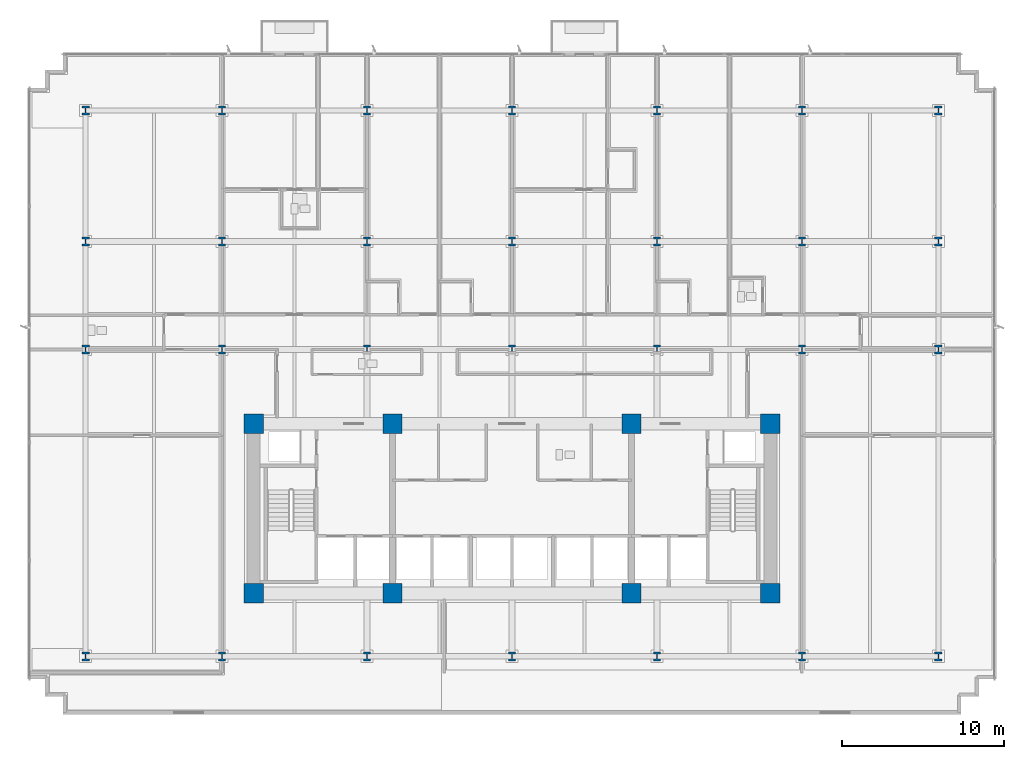
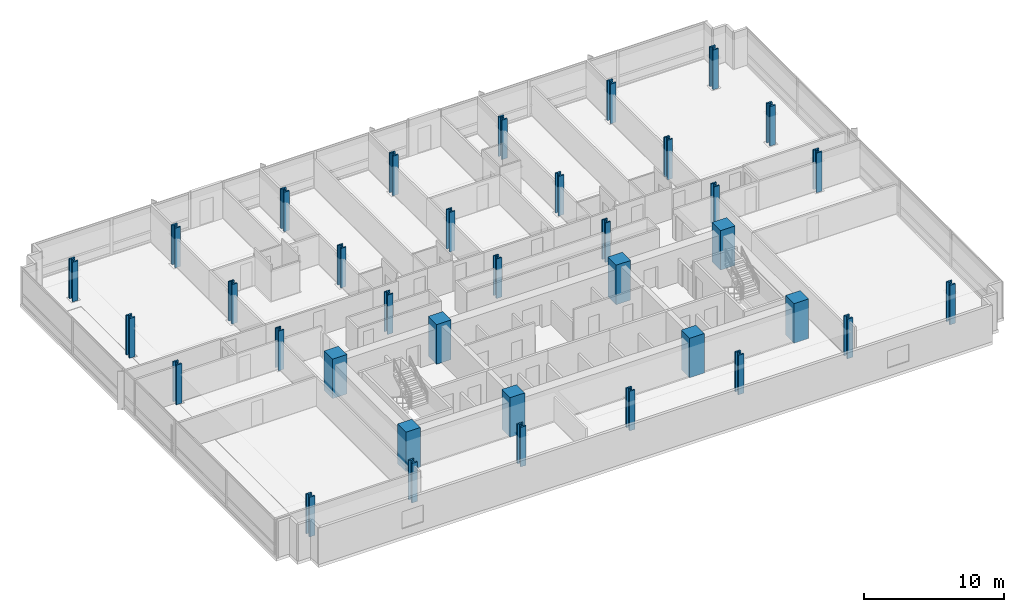
# One storey, part 1 of 15: 36 columns.
"""IFC4 building model written with IfcOpenShell, lengths in metres."""

from ifc_helpers import new_model, si_unit, direction, frame, origin, origin_2d, place, context, subcontext, project, spatial, rectangle, i_section, extrude, material, material_profile, profile_set, type_object, element, save


model = new_model("IFC4")

# Units and contexts
model_context = context("Model", 3, precision=1e-05, world=origin(), true_north=direction((0.0, 1.0)))
body_context = subcontext(model_context, "Body", "Model", "MODEL_VIEW")
ifc_project = project(units=[si_unit("LENGTHUNIT", "METRE"), si_unit("AREAUNIT", "SQUARE_METRE"), si_unit("VOLUMEUNIT", "CUBIC_METRE"), si_unit("PLANEANGLEUNIT", "RADIAN"), si_unit("MASSUNIT", "GRAM", prefix="KILO")], contexts=[model_context])

# Site, building, storey
site_placement = place(None, origin())
site = spatial("IfcSite", under=ifc_project, at=site_placement, CompositionType="ELEMENT")
building_placement = place(site_placement, origin())
building = spatial("IfcBuilding", under=site, at=building_placement, Name="Solmavex Isthmus Hotel", CompositionType="ELEMENT")
storey_placement = place(building_placement, frame((0.0, 0.0, 64.35009765625)))
storey = spatial("IfcBuildingStorey", under=building, at=storey_placement, Name="L17", CompositionType="ELEMENT", Elevation=64.35009765625)

# Columns
ifc_material_1 = material(Name="Concrete C70/85", Category="concrete")
ifc_material_profile_1 = material_profile(ifc_material_1, rectangle(XDim=1.199951171875, YDim=1.199951171875, at=origin_2d()), Name="RC1200X1200")
ifc_profile_set_1 = profile_set([ifc_material_profile_1], Name="Concrete C70/85")
column_type_1 = type_object("IfcColumnType", Name="COL-CC-1200", PredefinedType="COLUMN", material=ifc_profile_set_1)
for number, where, z_axis, x_axis, name in (
    (1, (-16.0, -13.0, 0.0), (0.0, 0.0, 1.0), (1.0, 0.0, 0.0), "Core Pilaster CC-SW L17"),
    (2, (-7.39990234375, -13.0, 0.0), (0.0, 0.0, 1.0), (1.0, 0.0, 0.0), "Core Pilaster CC-S1 L17"),
    (3, (7.39990234375, -13.0, 0.0), (0.0, 0.0, 1.0), (1.0, 0.0, 0.0), "Core Pilaster CC-S2 L17"),
    (4, (16.0, -13.0, 0.0), (0.0, 0.0, 1.0), (1.0, 0.0, 0.0), "Core Pilaster CC-SE L17"),
    (5, (-16.0, -2.5, 0.0), (0.0, 0.0, 1.0), (1.0, 0.0, 0.0), "Core Pilaster CC-NW L17"),
    (6, (-7.39990234375, -2.5, 0.0), (0.0, 0.0, 1.0), (1.0, 0.0, 0.0), "Core Pilaster CC-N1 L17"),
    (7, (7.39990234375, -2.5, 0.0), (0.0, 0.0, 1.0), (1.0, 0.0, 0.0), "Core Pilaster CC-N2 L17"),
    (8, (16.0, -2.5, 0.0), (0.0, 0.0, 1.0), (1.0, 0.0, 0.0), "Core Pilaster CC-NE L17"),
):
    element("IfcColumn", number, at=place(storey_placement, frame(where, z_axis=z_axis, x_axis=x_axis)), inside=storey, type_object=column_type_1, Name=name, PredefinedType="COLUMN", context=body_context, shape_type="SweptSolid", body=[
        extrude(rectangle(XDim=1.199951171875, YDim=1.199951171875, at=origin_2d()), origin(), (0.0, 0.0, 1.0), 3.449951171875),
    ])
ifc_material_2 = material(Name="Steel ASTM A913 Grade 65", Category="steel")
ifc_material_profile_2 = material_profile(ifc_material_2, i_section(OverallWidth=0.442138671875, OverallDepth=0.531494140625, WebThickness=0.06591796875, FlangeThickness=0.105712890625, FilletRadius=0.030517578125, at=origin_2d()), Name="W14X605")
ifc_profile_set_2 = profile_set([ifc_material_profile_2], Name="Steel ASTM A913 Grade 65")
column_type_2 = type_object("IfcColumnType", Name="COL-SC-W14X605", PredefinedType="COLUMN", material=ifc_profile_set_2)
for number, where, z_axis, x_axis, name in (
    (9, (-17.951904296875, 2.10009765625, 0.0), (0.0, 0.0, 1.0), (1.0, 0.0, 0.0), "Tower Column B1-U2V2 L17"),
    (10, (-17.951904296875, 8.7880859375, 0.0), (0.0, 0.0, 1.0), (1.0, 0.0, 0.0), "Tower Column B1-U2V3 L17"),
    (11, (-8.97607421875, 2.10009765625, 0.0), (0.0, 0.0, 1.0), (1.0, 0.0, 0.0), "Tower Column B1-U3V2 L17"),
    (12, (-8.97607421875, 8.7880859375, 0.0), (0.0, 0.0, 1.0), (1.0, 0.0, 0.0), "Tower Column B1-U3V3 L17"),
    (13, (0.0, 2.10009765625, 0.0), (0.0, 0.0, 1.0), (1.0, 0.0, 0.0), "Tower Column B1-U4V2 L17"),
    (14, (0.0, 8.7880859375, 0.0), (0.0, 0.0, 1.0), (1.0, 0.0, 0.0), "Tower Column B1-U4V3 L17"),
    (15, (8.97607421875, 2.10009765625, 0.0), (0.0, 0.0, 1.0), (1.0, 0.0, 0.0), "Tower Column B1-U5V2 L17"),
    (16, (8.97607421875, 8.7880859375, 0.0), (0.0, 0.0, 1.0), (1.0, 0.0, 0.0), "Tower Column B1-U5V3 L17"),
    (17, (17.951904296875, 2.10009765625, 0.0), (0.0, 0.0, 1.0), (1.0, 0.0, 0.0), "Tower Column B1-U6V2 L17"),
    (18, (17.951904296875, 8.7880859375, 0.0), (0.0, 0.0, 1.0), (1.0, 0.0, 0.0), "Tower Column B1-U6V3 L17"),
):
    element("IfcColumn", number, at=place(storey_placement, frame(where, z_axis=z_axis, x_axis=x_axis)), inside=storey, type_object=column_type_2, Name=name, PredefinedType="COLUMN", context=body_context, shape_type="SweptSolid", body=[
        extrude(i_section(OverallWidth=0.442138671875, OverallDepth=0.531494140625, WebThickness=0.06591796875, FlangeThickness=0.105712890625, FilletRadius=0.030517578125, at=origin_2d()), origin(), (0.0, 0.0, 1.0), 3.449951171875),
    ])
ifc_material_profile_3 = material_profile(ifc_material_2, i_section(OverallWidth=0.454345703125, OverallDepth=0.569091796875, WebThickness=0.077880859375, FlangeThickness=0.124755859375, FilletRadius=0.030517578125, at=origin_2d()), Name="W14X730")
ifc_profile_set_3 = profile_set([ifc_material_profile_3], Name="Steel ASTM A913 Grade 65")
column_type_3 = type_object("IfcColumnType", Name="COL-SC-W14X730", PredefinedType="COLUMN", material=ifc_profile_set_3)
for number, where, z_axis, x_axis, name in (
    (19, (-26.39990234375, -16.89990234375, 0.0), (0.0, 0.0, 1.0), (1.0, 0.0, 0.0), "Tower Column B1-U1V1 L17"),
    (20, (-26.39990234375, 2.10009765625, 0.0), (0.0, 0.0, 1.0), (1.0, 0.0, 0.0), "Tower Column B1-U1V2 L17"),
    (21, (-26.39990234375, 8.7880859375, 0.0), (0.0, 0.0, 1.0), (1.0, 0.0, 0.0), "Tower Column B1-U1V3 L17"),
    (22, (-26.39990234375, 16.89990234375, 0.0), (0.0, 0.0, 1.0), (1.0, 0.0, 0.0), "Tower Column B1-U1V4 L17"),
    (23, (-17.951904296875, -16.89990234375, 0.0), (0.0, 0.0, 1.0), (1.0, 0.0, 0.0), "Tower Column B1-U2V1 L17"),
    (24, (-17.951904296875, 16.89990234375, 0.0), (0.0, 0.0, 1.0), (1.0, 0.0, 0.0), "Tower Column B1-U2V4 L17"),
    (25, (-8.97607421875, -16.89990234375, 0.0), (0.0, 0.0, 1.0), (1.0, 0.0, 0.0), "Tower Column B1-U3V1 L17"),
    (26, (-8.97607421875, 16.89990234375, 0.0), (0.0, 0.0, 1.0), (1.0, 0.0, 0.0), "Tower Column B1-U3V4 L17"),
    (27, (0.0, -16.89990234375, 0.0), (0.0, 0.0, 1.0), (1.0, 0.0, 0.0), "Tower Column B1-U4V1 L17"),
    (28, (0.0, 16.89990234375, 0.0), (0.0, 0.0, 1.0), (1.0, 0.0, 0.0), "Tower Column B1-U4V4 L17"),
    (29, (8.97607421875, -16.89990234375, 0.0), (0.0, 0.0, 1.0), (1.0, 0.0, 0.0), "Tower Column B1-U5V1 L17"),
    (30, (8.97607421875, 16.89990234375, 0.0), (0.0, 0.0, 1.0), (1.0, 0.0, 0.0), "Tower Column B1-U5V4 L17"),
    (31, (17.951904296875, -16.89990234375, 0.0), (0.0, 0.0, 1.0), (1.0, 0.0, 0.0), "Tower Column B1-U6V1 L17"),
    (32, (17.951904296875, 16.89990234375, 0.0), (0.0, 0.0, 1.0), (1.0, 0.0, 0.0), "Tower Column B1-U6V4 L17"),
    (33, (26.39990234375, -16.89990234375, 0.0), (0.0, 0.0, 1.0), (1.0, 0.0, 0.0), "Tower Column B1-U7V1 L17"),
    (34, (26.39990234375, 2.10009765625, 0.0), (0.0, 0.0, 1.0), (1.0, 0.0, 0.0), "Tower Column B1-U7V2 L17"),
    (35, (26.39990234375, 8.7880859375, 0.0), (0.0, 0.0, 1.0), (1.0, 0.0, 0.0), "Tower Column B1-U7V3 L17"),
    (36, (26.39990234375, 16.89990234375, 0.0), (0.0, 0.0, 1.0), (1.0, 0.0, 0.0), "Tower Column B1-U7V4 L17"),
):
    element("IfcColumn", number, at=place(storey_placement, frame(where, z_axis=z_axis, x_axis=x_axis)), inside=storey, type_object=column_type_3, Name=name, PredefinedType="COLUMN", context=body_context, shape_type="SweptSolid", body=[
        extrude(i_section(OverallWidth=0.454345703125, OverallDepth=0.569091796875, WebThickness=0.077880859375, FlangeThickness=0.124755859375, FilletRadius=0.030517578125, at=origin_2d()), origin(), (0.0, 0.0, 1.0), 3.449951171875),
    ])

save(model, "model.ifc")
